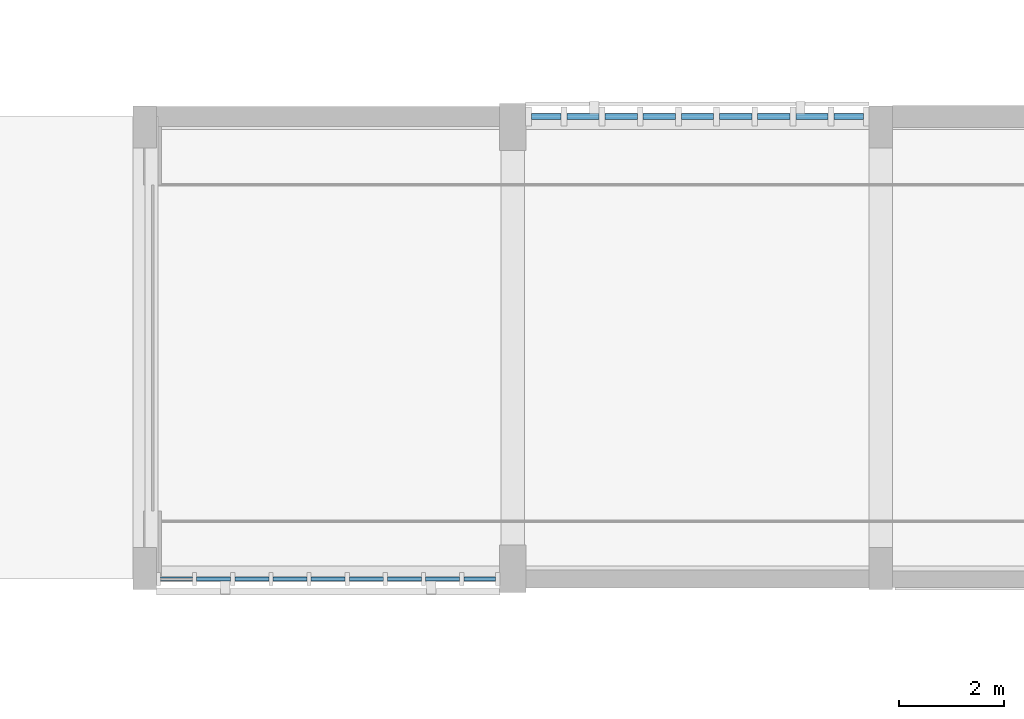
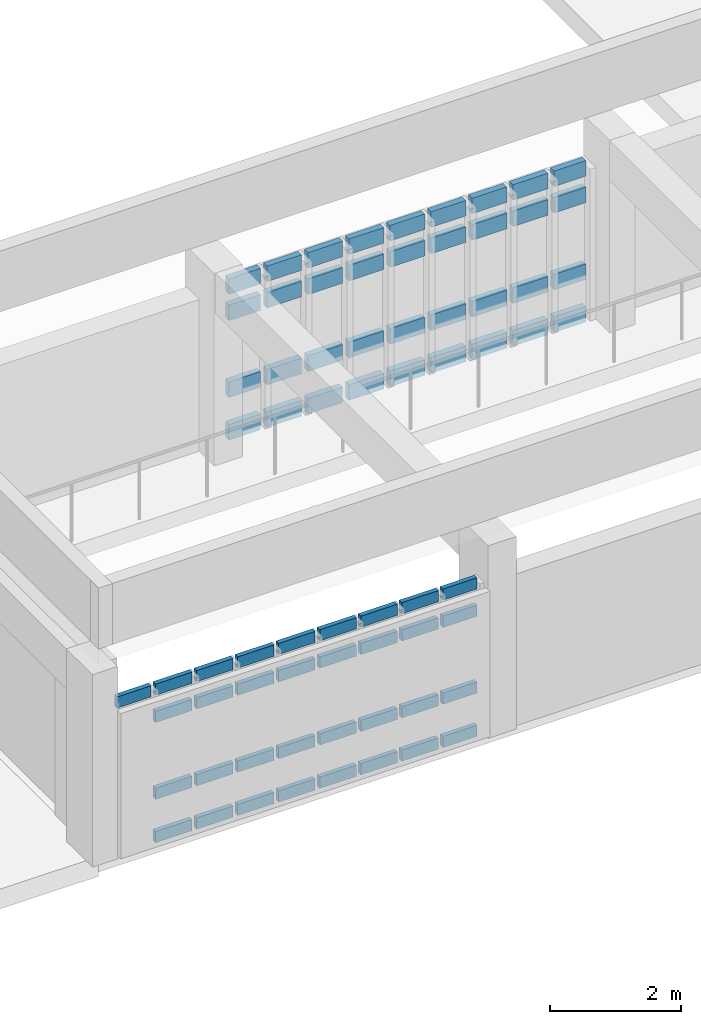
# One storey, part 38 of 111: 69 members, 2 elements without a shape of their own.
"""IFC4 building model written with IfcOpenShell, lengths in metres."""

from ifc_helpers import new_model, si_unit, direction, frame, origin, origin_2d, place, context, subcontext, project, spatial, rectangle, extrude, material, material_profile, profile_set, type_object, element, aggregate, save


model = new_model("IFC4")

# Units and contexts
model_context = context("Model", 3, precision=1e-05, world=origin(), true_north=direction((0.0, 1.0)))
body_context = subcontext(model_context, "Body", "Model", "MODEL_VIEW")
ifc_project = project(units=[si_unit("LENGTHUNIT", "METRE"), si_unit("AREAUNIT", "SQUARE_METRE"), si_unit("VOLUMEUNIT", "CUBIC_METRE"), si_unit("PLANEANGLEUNIT", "RADIAN"), si_unit("MASSUNIT", "GRAM", prefix="KILO")], contexts=[model_context])

# Site, building, storey
site_placement = place(None, origin())
site = spatial("IfcSite", under=ifc_project, at=site_placement, CompositionType="ELEMENT")
building_placement = place(site_placement, origin())
building = spatial("IfcBuilding", under=site, at=building_placement, Name="Larkvane Passage Sports Hall", CompositionType="ELEMENT")
storey_placement = place(building_placement, origin())
storey = spatial("IfcBuildingStorey", under=building, at=storey_placement, Name="L00", CompositionType="ELEMENT", Elevation=0.0)

# Curtain wall, members
ifc_material_1 = material(Name="Thermally broken aluminium and low-E glazing", Category="aluminium")
curtain_wall_type_1 = type_object("IfcCurtainWallType", Name="CW-CLINIC", PredefinedType="USERDEFINED", material=ifc_material_1)
curtain_wall_1_placement = place(storey_placement, origin())
curtain_wall_1 = element("IfcCurtainWall", 1, at=curtain_wall_1_placement, inside=storey, type_object=curtain_wall_type_1, Name="Curtain wall CW5-L00-007", ObjectType="UNITISED CURTAIN WALL", PredefinedType="USERDEFINED")
ifc_material_2 = material(Name="Anodised aluminium 6063-T6", Category="aluminium")
ifc_material_profile_1 = material_profile(ifc_material_2, rectangle(XDim=0.110107421875, YDim=0.2900390625, at=origin_2d()), Name="ALU-TRN-110x290")
ifc_profile_set_1 = profile_set([ifc_material_profile_1], Name="Anodised aluminium 6063-T6")
member_type_1 = type_object("IfcMemberType", Name="CW-TRN-110x290", PredefinedType="USERDEFINED", material=ifc_profile_set_1)
member_1_placement = place(storey_placement, frame((21.156005859375, 42.0, 0.054931640625), z_axis=(1.0, 0.0, 0.0), x_axis=(0.0, 1.0, 0.0)))
member_1 = element("IfcMember", 2, at=member_1_placement, type_object=member_type_1, Name="CW-05 transom 1.1", ObjectType="TRANSOM", PredefinedType="USERDEFINED", context=body_context, shape_type="SweptSolid", body=[
    extrude(rectangle(XDim=0.110107421875, YDim=0.2900390625, at=origin_2d()), origin(), (0.0, 0.0, 1.0), 0.560791015625),
])
member_2_placement = place(storey_placement, frame((21.156005859375, 42.0, 0.85009765625), z_axis=(1.0, 0.0, 0.0), x_axis=(0.0, 1.0, 0.0)))
member_2 = element("IfcMember", 3, at=member_2_placement, type_object=member_type_1, Name="CW-05 transom 1.2", ObjectType="TRANSOM", PredefinedType="USERDEFINED", context=body_context, shape_type="SweptSolid", body=[
    extrude(rectangle(XDim=0.110107421875, YDim=0.2900390625, at=origin_2d()), origin(), (0.0, 0.0, 1.0), 0.560791015625),
])
member_3_placement = place(storey_placement, frame((21.156005859375, 42.0, 2.2880859375), z_axis=(1.0, 0.0, 0.0), x_axis=(0.0, 1.0, 0.0)))
member_3 = element("IfcMember", 4, at=member_3_placement, type_object=member_type_1, Name="CW-05 transom 1.3", ObjectType="TRANSOM", PredefinedType="USERDEFINED", context=body_context, shape_type="SweptSolid", body=[
    extrude(rectangle(XDim=0.110107421875, YDim=0.2900390625, at=origin_2d()), origin(), (0.0, 0.0, 1.0), 0.560791015625),
])
member_4_placement = place(storey_placement, frame((21.156005859375, 42.0, 2.782958984375), z_axis=(1.0, 0.0, 0.0), x_axis=(0.0, 1.0, 0.0)))
member_4 = element("IfcMember", 5, at=member_4_placement, type_object=member_type_1, Name="CW-05 transom 1.4", ObjectType="TRANSOM", PredefinedType="USERDEFINED", context=body_context, shape_type="SweptSolid", body=[
    extrude(rectangle(XDim=0.110107421875, YDim=0.2900390625, at=origin_2d()), origin(), (0.0, 0.0, 1.0), 0.560791015625),
])
member_5_placement = place(storey_placement, frame((21.826904296875, 42.0, 0.054931640625), z_axis=(1.0, 0.0, 0.0), x_axis=(0.0, 1.0, 0.0)))
member_5 = element("IfcMember", 6, at=member_5_placement, type_object=member_type_1, Name="CW-05 transom 2.1", ObjectType="TRANSOM", PredefinedType="USERDEFINED", context=body_context, shape_type="SweptSolid", body=[
    extrude(rectangle(XDim=0.110107421875, YDim=0.2900390625, at=origin_2d()), origin(), (0.0, 0.0, 1.0), 0.615966796875),
])
member_6_placement = place(storey_placement, frame((21.826904296875, 42.0, 0.85009765625), z_axis=(1.0, 0.0, 0.0), x_axis=(0.0, 1.0, 0.0)))
member_6 = element("IfcMember", 7, at=member_6_placement, type_object=member_type_1, Name="CW-05 transom 2.2", ObjectType="TRANSOM", PredefinedType="USERDEFINED", context=body_context, shape_type="SweptSolid", body=[
    extrude(rectangle(XDim=0.110107421875, YDim=0.2900390625, at=origin_2d()), origin(), (0.0, 0.0, 1.0), 0.615966796875),
])
member_7_placement = place(storey_placement, frame((21.826904296875, 42.0, 2.2880859375), z_axis=(1.0, 0.0, 0.0), x_axis=(0.0, 1.0, 0.0)))
member_7 = element("IfcMember", 8, at=member_7_placement, type_object=member_type_1, Name="CW-05 transom 2.3", ObjectType="TRANSOM", PredefinedType="USERDEFINED", context=body_context, shape_type="SweptSolid", body=[
    extrude(rectangle(XDim=0.110107421875, YDim=0.2900390625, at=origin_2d()), origin(), (0.0, 0.0, 1.0), 0.615966796875),
])
member_8_placement = place(storey_placement, frame((21.826904296875, 42.0, 2.782958984375), z_axis=(1.0, 0.0, 0.0), x_axis=(0.0, 1.0, 0.0)))
member_8 = element("IfcMember", 9, at=member_8_placement, type_object=member_type_1, Name="CW-05 transom 2.4", ObjectType="TRANSOM", PredefinedType="USERDEFINED", context=body_context, shape_type="SweptSolid", body=[
    extrude(rectangle(XDim=0.110107421875, YDim=0.2900390625, at=origin_2d()), origin(), (0.0, 0.0, 1.0), 0.615966796875),
])
member_9_placement = place(storey_placement, frame((22.552734375, 42.0, 0.054931640625), z_axis=(1.0, 0.0, 0.0), x_axis=(0.0, 1.0, 0.0)))
member_9 = element("IfcMember", 10, at=member_9_placement, type_object=member_type_1, Name="CW-05 transom 3.1", ObjectType="TRANSOM", PredefinedType="USERDEFINED", context=body_context, shape_type="SweptSolid", body=[
    extrude(rectangle(XDim=0.110107421875, YDim=0.2900390625, at=origin_2d()), origin(), (0.0, 0.0, 1.0), 0.615966796875),
])
member_10_placement = place(storey_placement, frame((22.552734375, 42.0, 0.85009765625), z_axis=(1.0, 0.0, 0.0), x_axis=(0.0, 1.0, 0.0)))
member_10 = element("IfcMember", 11, at=member_10_placement, type_object=member_type_1, Name="CW-05 transom 3.2", ObjectType="TRANSOM", PredefinedType="USERDEFINED", context=body_context, shape_type="SweptSolid", body=[
    extrude(rectangle(XDim=0.110107421875, YDim=0.2900390625, at=origin_2d()), origin(), (0.0, 0.0, 1.0), 0.615966796875),
])
member_11_placement = place(storey_placement, frame((22.552734375, 42.0, 2.2880859375), z_axis=(1.0, 0.0, 0.0), x_axis=(0.0, 1.0, 0.0)))
member_11 = element("IfcMember", 12, at=member_11_placement, type_object=member_type_1, Name="CW-05 transom 3.3", ObjectType="TRANSOM", PredefinedType="USERDEFINED", context=body_context, shape_type="SweptSolid", body=[
    extrude(rectangle(XDim=0.110107421875, YDim=0.2900390625, at=origin_2d()), origin(), (0.0, 0.0, 1.0), 0.615966796875),
])
member_12_placement = place(storey_placement, frame((22.552734375, 42.0, 2.782958984375), z_axis=(1.0, 0.0, 0.0), x_axis=(0.0, 1.0, 0.0)))
member_12 = element("IfcMember", 13, at=member_12_placement, type_object=member_type_1, Name="CW-05 transom 3.4", ObjectType="TRANSOM", PredefinedType="USERDEFINED", context=body_context, shape_type="SweptSolid", body=[
    extrude(rectangle(XDim=0.110107421875, YDim=0.2900390625, at=origin_2d()), origin(), (0.0, 0.0, 1.0), 0.615966796875),
])
member_13_placement = place(storey_placement, frame((23.278564453125, 42.0, 0.054931640625), z_axis=(1.0, 0.0, 0.0), x_axis=(0.0, 1.0, 0.0)))
member_13 = element("IfcMember", 14, at=member_13_placement, type_object=member_type_1, Name="CW-05 transom 4.1", ObjectType="TRANSOM", PredefinedType="USERDEFINED", context=body_context, shape_type="SweptSolid", body=[
    extrude(rectangle(XDim=0.110107421875, YDim=0.2900390625, at=origin_2d()), origin(), (0.0, 0.0, 1.0), 0.615966796875),
])
member_14_placement = place(storey_placement, frame((23.278564453125, 42.0, 0.85009765625), z_axis=(1.0, 0.0, 0.0), x_axis=(0.0, 1.0, 0.0)))
member_14 = element("IfcMember", 15, at=member_14_placement, type_object=member_type_1, Name="CW-05 transom 4.2", ObjectType="TRANSOM", PredefinedType="USERDEFINED", context=body_context, shape_type="SweptSolid", body=[
    extrude(rectangle(XDim=0.110107421875, YDim=0.2900390625, at=origin_2d()), origin(), (0.0, 0.0, 1.0), 0.615966796875),
])
member_15_placement = place(storey_placement, frame((23.278564453125, 42.0, 2.2880859375), z_axis=(1.0, 0.0, 0.0), x_axis=(0.0, 1.0, 0.0)))
member_15 = element("IfcMember", 16, at=member_15_placement, type_object=member_type_1, Name="CW-05 transom 4.3", ObjectType="TRANSOM", PredefinedType="USERDEFINED", context=body_context, shape_type="SweptSolid", body=[
    extrude(rectangle(XDim=0.110107421875, YDim=0.2900390625, at=origin_2d()), origin(), (0.0, 0.0, 1.0), 0.615966796875),
])
member_16_placement = place(storey_placement, frame((23.278564453125, 42.0, 2.782958984375), z_axis=(1.0, 0.0, 0.0), x_axis=(0.0, 1.0, 0.0)))
member_16 = element("IfcMember", 17, at=member_16_placement, type_object=member_type_1, Name="CW-05 transom 4.4", ObjectType="TRANSOM", PredefinedType="USERDEFINED", context=body_context, shape_type="SweptSolid", body=[
    extrude(rectangle(XDim=0.110107421875, YDim=0.2900390625, at=origin_2d()), origin(), (0.0, 0.0, 1.0), 0.615966796875),
])
member_17_placement = place(storey_placement, frame((24.004638671875, 42.0, 0.054931640625), z_axis=(1.0, 0.0, 0.0), x_axis=(0.0, 1.0, 0.0)))
member_17 = element("IfcMember", 18, at=member_17_placement, type_object=member_type_1, Name="CW-05 transom 5.1", ObjectType="TRANSOM", PredefinedType="USERDEFINED", context=body_context, shape_type="SweptSolid", body=[
    extrude(rectangle(XDim=0.110107421875, YDim=0.2900390625, at=origin_2d()), origin(), (0.0, 0.0, 1.0), 0.61572265625),
])
member_18_placement = place(storey_placement, frame((24.004638671875, 42.0, 0.85009765625), z_axis=(1.0, 0.0, 0.0), x_axis=(0.0, 1.0, 0.0)))
member_18 = element("IfcMember", 19, at=member_18_placement, type_object=member_type_1, Name="CW-05 transom 5.2", ObjectType="TRANSOM", PredefinedType="USERDEFINED", context=body_context, shape_type="SweptSolid", body=[
    extrude(rectangle(XDim=0.110107421875, YDim=0.2900390625, at=origin_2d()), origin(), (0.0, 0.0, 1.0), 0.61572265625),
])
member_19_placement = place(storey_placement, frame((24.004638671875, 42.0, 2.2880859375), z_axis=(1.0, 0.0, 0.0), x_axis=(0.0, 1.0, 0.0)))
member_19 = element("IfcMember", 20, at=member_19_placement, type_object=member_type_1, Name="CW-05 transom 5.3", ObjectType="TRANSOM", PredefinedType="USERDEFINED", context=body_context, shape_type="SweptSolid", body=[
    extrude(rectangle(XDim=0.110107421875, YDim=0.2900390625, at=origin_2d()), origin(), (0.0, 0.0, 1.0), 0.61572265625),
])
member_20_placement = place(storey_placement, frame((24.004638671875, 42.0, 2.782958984375), z_axis=(1.0, 0.0, 0.0), x_axis=(0.0, 1.0, 0.0)))
member_20 = element("IfcMember", 21, at=member_20_placement, type_object=member_type_1, Name="CW-05 transom 5.4", ObjectType="TRANSOM", PredefinedType="USERDEFINED", context=body_context, shape_type="SweptSolid", body=[
    extrude(rectangle(XDim=0.110107421875, YDim=0.2900390625, at=origin_2d()), origin(), (0.0, 0.0, 1.0), 0.61572265625),
])
member_21_placement = place(storey_placement, frame((24.73046875, 42.0, 0.054931640625), z_axis=(1.0, 0.0, 0.0), x_axis=(0.0, 1.0, 0.0)))
member_21 = element("IfcMember", 22, at=member_21_placement, type_object=member_type_1, Name="CW-05 transom 6.1", ObjectType="TRANSOM", PredefinedType="USERDEFINED", context=body_context, shape_type="SweptSolid", body=[
    extrude(rectangle(XDim=0.110107421875, YDim=0.2900390625, at=origin_2d()), origin(), (0.0, 0.0, 1.0), 0.615966796875),
])
member_22_placement = place(storey_placement, frame((24.73046875, 42.0, 0.85009765625), z_axis=(1.0, 0.0, 0.0), x_axis=(0.0, 1.0, 0.0)))
member_22 = element("IfcMember", 23, at=member_22_placement, type_object=member_type_1, Name="CW-05 transom 6.2", ObjectType="TRANSOM", PredefinedType="USERDEFINED", context=body_context, shape_type="SweptSolid", body=[
    extrude(rectangle(XDim=0.110107421875, YDim=0.2900390625, at=origin_2d()), origin(), (0.0, 0.0, 1.0), 0.615966796875),
])
member_23_placement = place(storey_placement, frame((24.73046875, 42.0, 2.2880859375), z_axis=(1.0, 0.0, 0.0), x_axis=(0.0, 1.0, 0.0)))
member_23 = element("IfcMember", 24, at=member_23_placement, type_object=member_type_1, Name="CW-05 transom 6.3", ObjectType="TRANSOM", PredefinedType="USERDEFINED", context=body_context, shape_type="SweptSolid", body=[
    extrude(rectangle(XDim=0.110107421875, YDim=0.2900390625, at=origin_2d()), origin(), (0.0, 0.0, 1.0), 0.615966796875),
])
member_24_placement = place(storey_placement, frame((24.73046875, 42.0, 2.782958984375), z_axis=(1.0, 0.0, 0.0), x_axis=(0.0, 1.0, 0.0)))
member_24 = element("IfcMember", 25, at=member_24_placement, type_object=member_type_1, Name="CW-05 transom 6.4", ObjectType="TRANSOM", PredefinedType="USERDEFINED", context=body_context, shape_type="SweptSolid", body=[
    extrude(rectangle(XDim=0.110107421875, YDim=0.2900390625, at=origin_2d()), origin(), (0.0, 0.0, 1.0), 0.615966796875),
])
member_25_placement = place(storey_placement, frame((25.456298828125, 42.0, 0.054931640625), z_axis=(1.0, 0.0, 0.0), x_axis=(0.0, 1.0, 0.0)))
member_25 = element("IfcMember", 26, at=member_25_placement, type_object=member_type_1, Name="CW-05 transom 7.1", ObjectType="TRANSOM", PredefinedType="USERDEFINED", context=body_context, shape_type="SweptSolid", body=[
    extrude(rectangle(XDim=0.110107421875, YDim=0.2900390625, at=origin_2d()), origin(), (0.0, 0.0, 1.0), 0.615966796875),
])
member_26_placement = place(storey_placement, frame((25.456298828125, 42.0, 0.85009765625), z_axis=(1.0, 0.0, 0.0), x_axis=(0.0, 1.0, 0.0)))
member_26 = element("IfcMember", 27, at=member_26_placement, type_object=member_type_1, Name="CW-05 transom 7.2", ObjectType="TRANSOM", PredefinedType="USERDEFINED", context=body_context, shape_type="SweptSolid", body=[
    extrude(rectangle(XDim=0.110107421875, YDim=0.2900390625, at=origin_2d()), origin(), (0.0, 0.0, 1.0), 0.615966796875),
])
member_27_placement = place(storey_placement, frame((25.456298828125, 42.0, 2.2880859375), z_axis=(1.0, 0.0, 0.0), x_axis=(0.0, 1.0, 0.0)))
member_27 = element("IfcMember", 28, at=member_27_placement, type_object=member_type_1, Name="CW-05 transom 7.3", ObjectType="TRANSOM", PredefinedType="USERDEFINED", context=body_context, shape_type="SweptSolid", body=[
    extrude(rectangle(XDim=0.110107421875, YDim=0.2900390625, at=origin_2d()), origin(), (0.0, 0.0, 1.0), 0.615966796875),
])
member_28_placement = place(storey_placement, frame((25.456298828125, 42.0, 2.782958984375), z_axis=(1.0, 0.0, 0.0), x_axis=(0.0, 1.0, 0.0)))
member_28 = element("IfcMember", 29, at=member_28_placement, type_object=member_type_1, Name="CW-05 transom 7.4", ObjectType="TRANSOM", PredefinedType="USERDEFINED", context=body_context, shape_type="SweptSolid", body=[
    extrude(rectangle(XDim=0.110107421875, YDim=0.2900390625, at=origin_2d()), origin(), (0.0, 0.0, 1.0), 0.615966796875),
])
member_29_placement = place(storey_placement, frame((26.18212890625, 42.0, 0.054931640625), z_axis=(1.0, 0.0, 0.0), x_axis=(0.0, 1.0, 0.0)))
member_29 = element("IfcMember", 30, at=member_29_placement, type_object=member_type_1, Name="CW-05 transom 8.1", ObjectType="TRANSOM", PredefinedType="USERDEFINED", context=body_context, shape_type="SweptSolid", body=[
    extrude(rectangle(XDim=0.110107421875, YDim=0.2900390625, at=origin_2d()), origin(), (0.0, 0.0, 1.0), 0.615966796875),
])
member_30_placement = place(storey_placement, frame((26.18212890625, 42.0, 0.85009765625), z_axis=(1.0, 0.0, 0.0), x_axis=(0.0, 1.0, 0.0)))
member_30 = element("IfcMember", 31, at=member_30_placement, type_object=member_type_1, Name="CW-05 transom 8.2", ObjectType="TRANSOM", PredefinedType="USERDEFINED", context=body_context, shape_type="SweptSolid", body=[
    extrude(rectangle(XDim=0.110107421875, YDim=0.2900390625, at=origin_2d()), origin(), (0.0, 0.0, 1.0), 0.615966796875),
])
member_31_placement = place(storey_placement, frame((26.18212890625, 42.0, 2.2880859375), z_axis=(1.0, 0.0, 0.0), x_axis=(0.0, 1.0, 0.0)))
member_31 = element("IfcMember", 32, at=member_31_placement, type_object=member_type_1, Name="CW-05 transom 8.3", ObjectType="TRANSOM", PredefinedType="USERDEFINED", context=body_context, shape_type="SweptSolid", body=[
    extrude(rectangle(XDim=0.110107421875, YDim=0.2900390625, at=origin_2d()), origin(), (0.0, 0.0, 1.0), 0.615966796875),
])
member_32_placement = place(storey_placement, frame((26.18212890625, 42.0, 2.782958984375), z_axis=(1.0, 0.0, 0.0), x_axis=(0.0, 1.0, 0.0)))
member_32 = element("IfcMember", 33, at=member_32_placement, type_object=member_type_1, Name="CW-05 transom 8.4", ObjectType="TRANSOM", PredefinedType="USERDEFINED", context=body_context, shape_type="SweptSolid", body=[
    extrude(rectangle(XDim=0.110107421875, YDim=0.2900390625, at=origin_2d()), origin(), (0.0, 0.0, 1.0), 0.615966796875),
])
member_33_placement = place(storey_placement, frame((26.908203125, 42.0, 0.054931640625), z_axis=(1.0, 0.0, 0.0), x_axis=(0.0, 1.0, 0.0)))
member_33 = element("IfcMember", 34, at=member_33_placement, type_object=member_type_1, Name="CW-05 transom 9.1", ObjectType="TRANSOM", PredefinedType="USERDEFINED", context=body_context, shape_type="SweptSolid", body=[
    extrude(rectangle(XDim=0.110107421875, YDim=0.2900390625, at=origin_2d()), origin(), (0.0, 0.0, 1.0), 0.560791015625),
])
member_34_placement = place(storey_placement, frame((26.908203125, 42.0, 0.85009765625), z_axis=(1.0, 0.0, 0.0), x_axis=(0.0, 1.0, 0.0)))
member_34 = element("IfcMember", 35, at=member_34_placement, type_object=member_type_1, Name="CW-05 transom 9.2", ObjectType="TRANSOM", PredefinedType="USERDEFINED", context=body_context, shape_type="SweptSolid", body=[
    extrude(rectangle(XDim=0.110107421875, YDim=0.2900390625, at=origin_2d()), origin(), (0.0, 0.0, 1.0), 0.560791015625),
])
member_35_placement = place(storey_placement, frame((26.908203125, 42.0, 2.2880859375), z_axis=(1.0, 0.0, 0.0), x_axis=(0.0, 1.0, 0.0)))
member_35 = element("IfcMember", 36, at=member_35_placement, type_object=member_type_1, Name="CW-05 transom 9.3", ObjectType="TRANSOM", PredefinedType="USERDEFINED", context=body_context, shape_type="SweptSolid", body=[
    extrude(rectangle(XDim=0.110107421875, YDim=0.2900390625, at=origin_2d()), origin(), (0.0, 0.0, 1.0), 0.560791015625),
])
member_36_placement = place(storey_placement, frame((26.908203125, 42.0, 2.782958984375), z_axis=(1.0, 0.0, 0.0), x_axis=(0.0, 1.0, 0.0)))
member_36 = element("IfcMember", 37, at=member_36_placement, type_object=member_type_1, Name="CW-05 transom 9.4", ObjectType="TRANSOM", PredefinedType="USERDEFINED", context=body_context, shape_type="SweptSolid", body=[
    extrude(rectangle(XDim=0.110107421875, YDim=0.2900390625, at=origin_2d()), origin(), (0.0, 0.0, 1.0), 0.560791015625),
])
aggregate(curtain_wall_1, [member_1, member_2, member_3, member_4, member_5, member_6, member_7, member_8, member_9, member_10, member_11, member_12, member_13, member_14, member_15, member_16, member_17, member_18, member_19, member_20, member_21, member_22, member_23, member_24, member_25, member_26, member_27, member_28, member_29, member_30, member_31, member_32, member_33, member_34, member_35, member_36])

curtain_wall_type_2 = type_object("IfcCurtainWallType", Name="CW-STICK-FOYER", PredefinedType="USERDEFINED", material=ifc_material_1)
curtain_wall_2_placement = place(storey_placement, origin())
curtain_wall_2 = element("IfcCurtainWall", 38, at=curtain_wall_2_placement, inside=storey, type_object=curtain_wall_type_2, Name="Curtain wall CW5-L00-006", ObjectType="STICK CURTAIN WALL", PredefinedType="USERDEFINED")
ifc_material_profile_2 = material_profile(ifc_material_2, rectangle(XDim=0.080078125, YDim=0.2099609375, at=origin_2d()), Name="ALU-TRN-80x210")
ifc_profile_set_2 = profile_set([ifc_material_profile_2], Name="Anodised aluminium 6063-T6")
member_type_2 = type_object("IfcMemberType", Name="CW-TRN-80x210", PredefinedType="USERDEFINED", material=ifc_profile_set_2)
member_37_placement = place(storey_placement, frame((20.47412109375, 33.199951171875, 0.0400390625), z_axis=(-1.0, 0.0, 0.0), x_axis=(0.0, -1.0, 0.0)))
member_37 = element("IfcMember", 39, at=member_37_placement, type_object=member_type_2, Name="CW-03 transom 1.1", ObjectType="TRANSOM", PredefinedType="USERDEFINED", context=body_context, shape_type="SweptSolid", body=[
    extrude(rectangle(XDim=0.080078125, YDim=0.2099609375, at=origin_2d()), origin(), (0.0, 0.0, 1.0), 0.60595703125),
])
member_38_placement = place(storey_placement, frame((20.47412109375, 33.199951171875, 0.85009765625), z_axis=(-1.0, 0.0, 0.0), x_axis=(0.0, -1.0, 0.0)))
member_38 = element("IfcMember", 40, at=member_38_placement, type_object=member_type_2, Name="CW-03 transom 1.2", ObjectType="TRANSOM", PredefinedType="USERDEFINED", context=body_context, shape_type="SweptSolid", body=[
    extrude(rectangle(XDim=0.080078125, YDim=0.2099609375, at=origin_2d()), origin(), (0.0, 0.0, 1.0), 0.60595703125),
])
member_39_placement = place(storey_placement, frame((20.47412109375, 33.199951171875, 2.2880859375), z_axis=(-1.0, 0.0, 0.0), x_axis=(0.0, -1.0, 0.0)))
member_39 = element("IfcMember", 41, at=member_39_placement, type_object=member_type_2, Name="CW-03 transom 1.3", ObjectType="TRANSOM", PredefinedType="USERDEFINED", context=body_context, shape_type="SweptSolid", body=[
    extrude(rectangle(XDim=0.080078125, YDim=0.2099609375, at=origin_2d()), origin(), (0.0, 0.0, 1.0), 0.60595703125),
])
member_40_placement = place(storey_placement, frame((20.47412109375, 33.199951171875, 2.798095703125), z_axis=(-1.0, 0.0, 0.0), x_axis=(0.0, -1.0, 0.0)))
member_40 = element("IfcMember", 42, at=member_40_placement, type_object=member_type_2, Name="CW-03 transom 1.4", ObjectType="TRANSOM", PredefinedType="USERDEFINED", context=body_context, shape_type="SweptSolid", body=[
    extrude(rectangle(XDim=0.080078125, YDim=0.2099609375, at=origin_2d()), origin(), (0.0, 0.0, 1.0), 0.60595703125),
])
member_41_placement = place(storey_placement, frame((19.7880859375, 33.199951171875, 0.0400390625), z_axis=(-1.0, 0.0, 0.0), x_axis=(0.0, -1.0, 0.0)))
member_41 = element("IfcMember", 43, at=member_41_placement, type_object=member_type_2, Name="CW-03 transom 2.1", ObjectType="TRANSOM", PredefinedType="USERDEFINED", context=body_context, shape_type="SweptSolid", body=[
    extrude(rectangle(XDim=0.080078125, YDim=0.2099609375, at=origin_2d()), origin(), (0.0, 0.0, 1.0), 0.645751953125),
])
member_42_placement = place(storey_placement, frame((19.7880859375, 33.199951171875, 0.85009765625), z_axis=(-1.0, 0.0, 0.0), x_axis=(0.0, -1.0, 0.0)))
member_42 = element("IfcMember", 44, at=member_42_placement, type_object=member_type_2, Name="CW-03 transom 2.2", ObjectType="TRANSOM", PredefinedType="USERDEFINED", context=body_context, shape_type="SweptSolid", body=[
    extrude(rectangle(XDim=0.080078125, YDim=0.2099609375, at=origin_2d()), origin(), (0.0, 0.0, 1.0), 0.645751953125),
])
member_43_placement = place(storey_placement, frame((19.7880859375, 33.199951171875, 2.2880859375), z_axis=(-1.0, 0.0, 0.0), x_axis=(0.0, -1.0, 0.0)))
member_43 = element("IfcMember", 45, at=member_43_placement, type_object=member_type_2, Name="CW-03 transom 2.3", ObjectType="TRANSOM", PredefinedType="USERDEFINED", context=body_context, shape_type="SweptSolid", body=[
    extrude(rectangle(XDim=0.080078125, YDim=0.2099609375, at=origin_2d()), origin(), (0.0, 0.0, 1.0), 0.645751953125),
])
member_44_placement = place(storey_placement, frame((19.7880859375, 33.199951171875, 2.798095703125), z_axis=(-1.0, 0.0, 0.0), x_axis=(0.0, -1.0, 0.0)))
member_44 = element("IfcMember", 46, at=member_44_placement, type_object=member_type_2, Name="CW-03 transom 2.4", ObjectType="TRANSOM", PredefinedType="USERDEFINED", context=body_context, shape_type="SweptSolid", body=[
    extrude(rectangle(XDim=0.080078125, YDim=0.2099609375, at=origin_2d()), origin(), (0.0, 0.0, 1.0), 0.645751953125),
])
member_45_placement = place(storey_placement, frame((19.062255859375, 33.199951171875, 0.0400390625), z_axis=(-1.0, 0.0, 0.0), x_axis=(0.0, -1.0, 0.0)))
member_45 = element("IfcMember", 47, at=member_45_placement, type_object=member_type_2, Name="CW-03 transom 3.1", ObjectType="TRANSOM", PredefinedType="USERDEFINED", context=body_context, shape_type="SweptSolid", body=[
    extrude(rectangle(XDim=0.080078125, YDim=0.2099609375, at=origin_2d()), origin(), (0.0, 0.0, 1.0), 0.64599609375),
])
member_46_placement = place(storey_placement, frame((19.062255859375, 33.199951171875, 0.85009765625), z_axis=(-1.0, 0.0, 0.0), x_axis=(0.0, -1.0, 0.0)))
member_46 = element("IfcMember", 48, at=member_46_placement, type_object=member_type_2, Name="CW-03 transom 3.2", ObjectType="TRANSOM", PredefinedType="USERDEFINED", context=body_context, shape_type="SweptSolid", body=[
    extrude(rectangle(XDim=0.080078125, YDim=0.2099609375, at=origin_2d()), origin(), (0.0, 0.0, 1.0), 0.64599609375),
])
member_47_placement = place(storey_placement, frame((19.062255859375, 33.199951171875, 2.2880859375), z_axis=(-1.0, 0.0, 0.0), x_axis=(0.0, -1.0, 0.0)))
member_47 = element("IfcMember", 49, at=member_47_placement, type_object=member_type_2, Name="CW-03 transom 3.3", ObjectType="TRANSOM", PredefinedType="USERDEFINED", context=body_context, shape_type="SweptSolid", body=[
    extrude(rectangle(XDim=0.080078125, YDim=0.2099609375, at=origin_2d()), origin(), (0.0, 0.0, 1.0), 0.64599609375),
])
member_48_placement = place(storey_placement, frame((19.062255859375, 33.199951171875, 2.798095703125), z_axis=(-1.0, 0.0, 0.0), x_axis=(0.0, -1.0, 0.0)))
member_48 = element("IfcMember", 50, at=member_48_placement, type_object=member_type_2, Name="CW-03 transom 3.4", ObjectType="TRANSOM", PredefinedType="USERDEFINED", context=body_context, shape_type="SweptSolid", body=[
    extrude(rectangle(XDim=0.080078125, YDim=0.2099609375, at=origin_2d()), origin(), (0.0, 0.0, 1.0), 0.64599609375),
])
member_49_placement = place(storey_placement, frame((18.33642578125, 33.199951171875, 0.0400390625), z_axis=(-1.0, 0.0, 0.0), x_axis=(0.0, -1.0, 0.0)))
member_49 = element("IfcMember", 51, at=member_49_placement, type_object=member_type_2, Name="CW-03 transom 4.1", ObjectType="TRANSOM", PredefinedType="USERDEFINED", context=body_context, shape_type="SweptSolid", body=[
    extrude(rectangle(XDim=0.080078125, YDim=0.2099609375, at=origin_2d()), origin(), (0.0, 0.0, 1.0), 0.64599609375),
])
member_50_placement = place(storey_placement, frame((18.33642578125, 33.199951171875, 0.85009765625), z_axis=(-1.0, 0.0, 0.0), x_axis=(0.0, -1.0, 0.0)))
member_50 = element("IfcMember", 52, at=member_50_placement, type_object=member_type_2, Name="CW-03 transom 4.2", ObjectType="TRANSOM", PredefinedType="USERDEFINED", context=body_context, shape_type="SweptSolid", body=[
    extrude(rectangle(XDim=0.080078125, YDim=0.2099609375, at=origin_2d()), origin(), (0.0, 0.0, 1.0), 0.64599609375),
])
member_51_placement = place(storey_placement, frame((18.33642578125, 33.199951171875, 2.2880859375), z_axis=(-1.0, 0.0, 0.0), x_axis=(0.0, -1.0, 0.0)))
member_51 = element("IfcMember", 53, at=member_51_placement, type_object=member_type_2, Name="CW-03 transom 4.3", ObjectType="TRANSOM", PredefinedType="USERDEFINED", context=body_context, shape_type="SweptSolid", body=[
    extrude(rectangle(XDim=0.080078125, YDim=0.2099609375, at=origin_2d()), origin(), (0.0, 0.0, 1.0), 0.64599609375),
])
member_52_placement = place(storey_placement, frame((18.33642578125, 33.199951171875, 2.798095703125), z_axis=(-1.0, 0.0, 0.0), x_axis=(0.0, -1.0, 0.0)))
member_52 = element("IfcMember", 54, at=member_52_placement, type_object=member_type_2, Name="CW-03 transom 4.4", ObjectType="TRANSOM", PredefinedType="USERDEFINED", context=body_context, shape_type="SweptSolid", body=[
    extrude(rectangle(XDim=0.080078125, YDim=0.2099609375, at=origin_2d()), origin(), (0.0, 0.0, 1.0), 0.64599609375),
])
member_53_placement = place(storey_placement, frame((17.6103515625, 33.199951171875, 0.0400390625), z_axis=(-1.0, 0.0, 0.0), x_axis=(0.0, -1.0, 0.0)))
member_53 = element("IfcMember", 55, at=member_53_placement, type_object=member_type_2, Name="CW-03 transom 5.1", ObjectType="TRANSOM", PredefinedType="USERDEFINED", context=body_context, shape_type="SweptSolid", body=[
    extrude(rectangle(XDim=0.080078125, YDim=0.2099609375, at=origin_2d()), origin(), (0.0, 0.0, 1.0), 0.645751953125),
])
member_54_placement = place(storey_placement, frame((17.6103515625, 33.199951171875, 0.85009765625), z_axis=(-1.0, 0.0, 0.0), x_axis=(0.0, -1.0, 0.0)))
member_54 = element("IfcMember", 56, at=member_54_placement, type_object=member_type_2, Name="CW-03 transom 5.2", ObjectType="TRANSOM", PredefinedType="USERDEFINED", context=body_context, shape_type="SweptSolid", body=[
    extrude(rectangle(XDim=0.080078125, YDim=0.2099609375, at=origin_2d()), origin(), (0.0, 0.0, 1.0), 0.645751953125),
])
member_55_placement = place(storey_placement, frame((17.6103515625, 33.199951171875, 2.2880859375), z_axis=(-1.0, 0.0, 0.0), x_axis=(0.0, -1.0, 0.0)))
member_55 = element("IfcMember", 57, at=member_55_placement, type_object=member_type_2, Name="CW-03 transom 5.3", ObjectType="TRANSOM", PredefinedType="USERDEFINED", context=body_context, shape_type="SweptSolid", body=[
    extrude(rectangle(XDim=0.080078125, YDim=0.2099609375, at=origin_2d()), origin(), (0.0, 0.0, 1.0), 0.645751953125),
])
member_56_placement = place(storey_placement, frame((17.6103515625, 33.199951171875, 2.798095703125), z_axis=(-1.0, 0.0, 0.0), x_axis=(0.0, -1.0, 0.0)))
member_56 = element("IfcMember", 58, at=member_56_placement, type_object=member_type_2, Name="CW-03 transom 5.4", ObjectType="TRANSOM", PredefinedType="USERDEFINED", context=body_context, shape_type="SweptSolid", body=[
    extrude(rectangle(XDim=0.080078125, YDim=0.2099609375, at=origin_2d()), origin(), (0.0, 0.0, 1.0), 0.645751953125),
])
member_57_placement = place(storey_placement, frame((16.884521484375, 33.199951171875, 0.0400390625), z_axis=(-1.0, 0.0, 0.0), x_axis=(0.0, -1.0, 0.0)))
member_57 = element("IfcMember", 59, at=member_57_placement, type_object=member_type_2, Name="CW-03 transom 6.1", ObjectType="TRANSOM", PredefinedType="USERDEFINED", context=body_context, shape_type="SweptSolid", body=[
    extrude(rectangle(XDim=0.080078125, YDim=0.2099609375, at=origin_2d()), origin(), (0.0, 0.0, 1.0), 0.645751953125),
])
member_58_placement = place(storey_placement, frame((16.884521484375, 33.199951171875, 0.85009765625), z_axis=(-1.0, 0.0, 0.0), x_axis=(0.0, -1.0, 0.0)))
member_58 = element("IfcMember", 60, at=member_58_placement, type_object=member_type_2, Name="CW-03 transom 6.2", ObjectType="TRANSOM", PredefinedType="USERDEFINED", context=body_context, shape_type="SweptSolid", body=[
    extrude(rectangle(XDim=0.080078125, YDim=0.2099609375, at=origin_2d()), origin(), (0.0, 0.0, 1.0), 0.645751953125),
])
member_59_placement = place(storey_placement, frame((16.884521484375, 33.199951171875, 2.2880859375), z_axis=(-1.0, 0.0, 0.0), x_axis=(0.0, -1.0, 0.0)))
member_59 = element("IfcMember", 61, at=member_59_placement, type_object=member_type_2, Name="CW-03 transom 6.3", ObjectType="TRANSOM", PredefinedType="USERDEFINED", context=body_context, shape_type="SweptSolid", body=[
    extrude(rectangle(XDim=0.080078125, YDim=0.2099609375, at=origin_2d()), origin(), (0.0, 0.0, 1.0), 0.645751953125),
])
member_60_placement = place(storey_placement, frame((16.884521484375, 33.199951171875, 2.798095703125), z_axis=(-1.0, 0.0, 0.0), x_axis=(0.0, -1.0, 0.0)))
member_60 = element("IfcMember", 62, at=member_60_placement, type_object=member_type_2, Name="CW-03 transom 6.4", ObjectType="TRANSOM", PredefinedType="USERDEFINED", context=body_context, shape_type="SweptSolid", body=[
    extrude(rectangle(XDim=0.080078125, YDim=0.2099609375, at=origin_2d()), origin(), (0.0, 0.0, 1.0), 0.645751953125),
])
member_61_placement = place(storey_placement, frame((16.15869140625, 33.199951171875, 0.0400390625), z_axis=(-1.0, 0.0, 0.0), x_axis=(0.0, -1.0, 0.0)))
member_61 = element("IfcMember", 63, at=member_61_placement, type_object=member_type_2, Name="CW-03 transom 7.1", ObjectType="TRANSOM", PredefinedType="USERDEFINED", context=body_context, shape_type="SweptSolid", body=[
    extrude(rectangle(XDim=0.080078125, YDim=0.2099609375, at=origin_2d()), origin(), (0.0, 0.0, 1.0), 0.64599609375),
])
member_62_placement = place(storey_placement, frame((16.15869140625, 33.199951171875, 0.85009765625), z_axis=(-1.0, 0.0, 0.0), x_axis=(0.0, -1.0, 0.0)))
member_62 = element("IfcMember", 64, at=member_62_placement, type_object=member_type_2, Name="CW-03 transom 7.2", ObjectType="TRANSOM", PredefinedType="USERDEFINED", context=body_context, shape_type="SweptSolid", body=[
    extrude(rectangle(XDim=0.080078125, YDim=0.2099609375, at=origin_2d()), origin(), (0.0, 0.0, 1.0), 0.64599609375),
])
member_63_placement = place(storey_placement, frame((16.15869140625, 33.199951171875, 2.2880859375), z_axis=(-1.0, 0.0, 0.0), x_axis=(0.0, -1.0, 0.0)))
member_63 = element("IfcMember", 65, at=member_63_placement, type_object=member_type_2, Name="CW-03 transom 7.3", ObjectType="TRANSOM", PredefinedType="USERDEFINED", context=body_context, shape_type="SweptSolid", body=[
    extrude(rectangle(XDim=0.080078125, YDim=0.2099609375, at=origin_2d()), origin(), (0.0, 0.0, 1.0), 0.64599609375),
])
member_64_placement = place(storey_placement, frame((16.15869140625, 33.199951171875, 2.798095703125), z_axis=(-1.0, 0.0, 0.0), x_axis=(0.0, -1.0, 0.0)))
member_64 = element("IfcMember", 66, at=member_64_placement, type_object=member_type_2, Name="CW-03 transom 7.4", ObjectType="TRANSOM", PredefinedType="USERDEFINED", context=body_context, shape_type="SweptSolid", body=[
    extrude(rectangle(XDim=0.080078125, YDim=0.2099609375, at=origin_2d()), origin(), (0.0, 0.0, 1.0), 0.64599609375),
])
member_65_placement = place(storey_placement, frame((15.432861328125, 33.199951171875, 0.0400390625), z_axis=(-1.0, 0.0, 0.0), x_axis=(0.0, -1.0, 0.0)))
member_65 = element("IfcMember", 67, at=member_65_placement, type_object=member_type_2, Name="CW-03 transom 8.1", ObjectType="TRANSOM", PredefinedType="USERDEFINED", context=body_context, shape_type="SweptSolid", body=[
    extrude(rectangle(XDim=0.080078125, YDim=0.2099609375, at=origin_2d()), origin(), (0.0, 0.0, 1.0), 0.64599609375),
])
member_66_placement = place(storey_placement, frame((15.432861328125, 33.199951171875, 0.85009765625), z_axis=(-1.0, 0.0, 0.0), x_axis=(0.0, -1.0, 0.0)))
member_66 = element("IfcMember", 68, at=member_66_placement, type_object=member_type_2, Name="CW-03 transom 8.2", ObjectType="TRANSOM", PredefinedType="USERDEFINED", context=body_context, shape_type="SweptSolid", body=[
    extrude(rectangle(XDim=0.080078125, YDim=0.2099609375, at=origin_2d()), origin(), (0.0, 0.0, 1.0), 0.64599609375),
])
member_67_placement = place(storey_placement, frame((15.432861328125, 33.199951171875, 2.2880859375), z_axis=(-1.0, 0.0, 0.0), x_axis=(0.0, -1.0, 0.0)))
member_67 = element("IfcMember", 69, at=member_67_placement, type_object=member_type_2, Name="CW-03 transom 8.3", ObjectType="TRANSOM", PredefinedType="USERDEFINED", context=body_context, shape_type="SweptSolid", body=[
    extrude(rectangle(XDim=0.080078125, YDim=0.2099609375, at=origin_2d()), origin(), (0.0, 0.0, 1.0), 0.64599609375),
])
member_68_placement = place(storey_placement, frame((15.432861328125, 33.199951171875, 2.798095703125), z_axis=(-1.0, 0.0, 0.0), x_axis=(0.0, -1.0, 0.0)))
member_68 = element("IfcMember", 70, at=member_68_placement, type_object=member_type_2, Name="CW-03 transom 8.4", ObjectType="TRANSOM", PredefinedType="USERDEFINED", context=body_context, shape_type="SweptSolid", body=[
    extrude(rectangle(XDim=0.080078125, YDim=0.2099609375, at=origin_2d()), origin(), (0.0, 0.0, 1.0), 0.64599609375),
])
member_69_placement = place(storey_placement, frame((14.706787109375, 33.199951171875, 2.798095703125), z_axis=(-1.0, 0.0, 0.0), x_axis=(0.0, -1.0, 0.0)))
member_69 = element("IfcMember", 71, at=member_69_placement, type_object=member_type_2, Name="CW-03 transom 9.4", ObjectType="TRANSOM", PredefinedType="USERDEFINED", context=body_context, shape_type="SweptSolid", body=[
    extrude(rectangle(XDim=0.080078125, YDim=0.2099609375, at=origin_2d()), origin(), (0.0, 0.0, 1.0), 0.605712890625),
])
aggregate(curtain_wall_2, [member_37, member_38, member_39, member_40, member_41, member_42, member_43, member_44, member_45, member_46, member_47, member_48, member_49, member_50, member_51, member_52, member_53, member_54, member_55, member_56, member_57, member_58, member_59, member_60, member_61, member_62, member_63, member_64, member_65, member_66, member_67, member_68, member_69])

save(model, "model.ifc")
